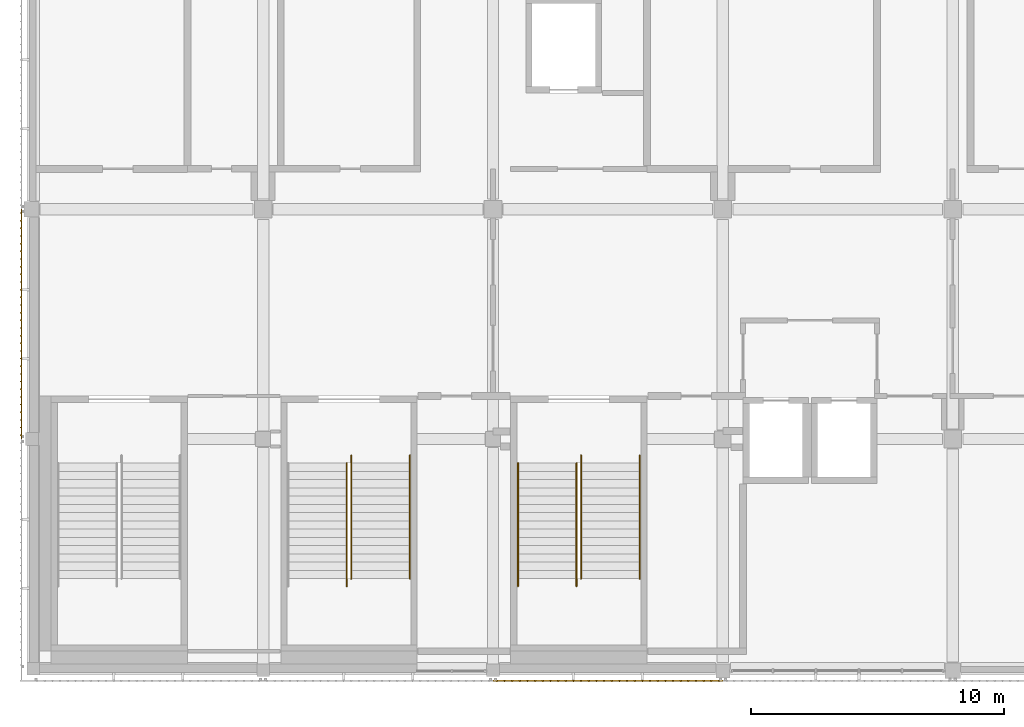
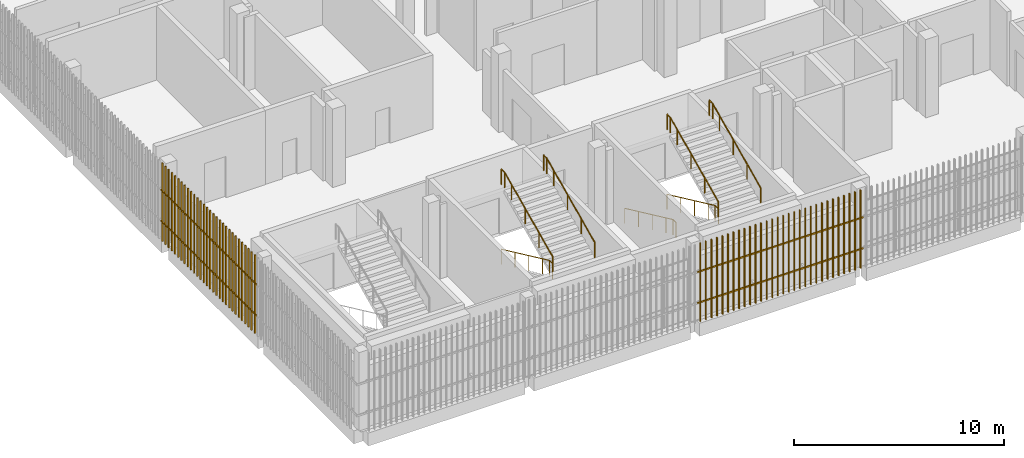
# One storey, part 114 of 139: 7 railings, 2 shading devices.
"""IFC4 building model written with IfcOpenShell, lengths in metres."""

from ifc_helpers import new_model, si_unit, direction, frame, origin, origin_2d, place, context, subcontext, project, spatial, rectangle, circle, extrude, material, type_object, element, save


model = new_model("IFC4")

# Units and contexts
model_context = context("Model", 3, precision=1e-05, world=origin(), true_north=direction((0.0, 1.0)))
body_context = subcontext(model_context, "Body", "Model", "MODEL_VIEW")
ifc_project = project(units=[si_unit("LENGTHUNIT", "METRE"), si_unit("AREAUNIT", "SQUARE_METRE"), si_unit("VOLUMEUNIT", "CUBIC_METRE"), si_unit("PLANEANGLEUNIT", "RADIAN"), si_unit("MASSUNIT", "GRAM", prefix="KILO")], contexts=[model_context])

# Site, building, storey
site_placement = place(None, origin())
site = spatial("IfcSite", under=ifc_project, at=site_placement, CompositionType="ELEMENT")
building_placement = place(site_placement, origin())
building = spatial("IfcBuilding", under=site, at=building_placement, Name="Shirokan Park Arena", CompositionType="ELEMENT")
storey_placement = place(building_placement, frame((0.0, 0.0, 15.469970703125)))
storey = spatial("IfcBuildingStorey", under=building, at=storey_placement, Name="L03", CompositionType="ELEMENT", Elevation=15.469970703125)

# Railings
ifc_material_1 = material(Name="Stainless steel", Category="steel")
railing_type = type_object("IfcRailingType", Name="Stair handrail 900", PredefinedType="HANDRAIL", material=ifc_material_1)
railing_1_placement = place(storey_placement, frame((12.409912109375, 8.14990234375, 0.151611328125)))
element("IfcRailing", 1, at=railing_1_placement, inside=storey, type_object=railing_type, Name="Handrail Exit Stair 1.B L03 to L04", PredefinedType="HANDRAIL", context=body_context, shape_type="SweptSolid", body=[
    extrude(circle(Radius=0.02392578125, at=origin_2d()), frame((0.0, 0.0, 0.8759765625), z_axis=(0.0, -0.906999720516, 0.421131222998), x_axis=(1.0, 0.0, 0.0)), (0.0, 0.0, 1.0), 1.440673828125),
    extrude(circle(Radius=0.02392578125, at=origin_2d()), frame((0.0, -1.306640625, 1.482421875), z_axis=(0.0, -0.907029769225, 0.421066500378), x_axis=(1.0, 0.0, 0.0)), (0.0, 0.0, 1.0), 1.44091796875),
    extrude(circle(Radius=0.02392578125, at=origin_2d()), frame((0.0, -2.613525390625, 2.08935546875), z_axis=(0.0, -0.907029769225, 0.421066500378), x_axis=(1.0, 0.0, 0.0)), (0.0, 0.0, 1.0), 1.44091796875),
    extrude(circle(Radius=0.02392578125, at=origin_2d()), frame((0.0, -3.92041015625, 2.69580078125), z_axis=(0.0, -0.906934982928, 0.421270621741), x_axis=(1.0, 0.0, 0.0)), (0.0, 0.0, 1.0), 0.720458984375),
    extrude(circle(Radius=0.02392578125, at=origin_2d()), frame((0.0, -4.57373046875, 2.99951171875), z_axis=(0.0, -1.0, 0.0), x_axis=(1.0, 0.0, 0.0)), (0.0, 0.0, 1.0), 0.300048828125),
    extrude(circle(Radius=0.02099609375, at=origin_2d()), origin(), (0.0, 0.0, 1.0), 0.851806640625),
    extrude(circle(Radius=0.02099609375, at=origin_2d()), frame((0.0, -1.306640625, 0.606689453125)), (0.0, 0.0, 1.0), 0.851806640625),
    extrude(circle(Radius=0.02099609375, at=origin_2d()), frame((0.0, -2.613525390625, 1.21337890625)), (0.0, 0.0, 1.0), 0.851806640625),
    extrude(circle(Radius=0.02099609375, at=origin_2d()), frame((0.0, -3.92041015625, 1.820068359375)), (0.0, 0.0, 1.0), 0.851806640625),
    extrude(circle(Radius=0.02099609375, at=origin_2d()), frame((0.0, -4.57373046875, 2.12353515625)), (0.0, 0.0, 1.0), 0.851806640625),
    extrude(circle(Radius=0.02099609375, at=origin_2d()), frame((0.0, -4.873779296875, 2.12353515625)), (0.0, 0.0, 1.0), 0.851806640625),
])
railing_2_placement = place(storey_placement, frame((12.590087890625, 3.576171875, 2.4267578125)))
element("IfcRailing", 2, at=railing_2_placement, inside=storey, type_object=railing_type, Name="Handrail Exit Stair 1.B L03 to L04", PredefinedType="HANDRAIL", context=body_context, shape_type="SweptSolid", body=[
    extrude(circle(Radius=0.02392578125, at=origin_2d()), frame((0.0, 0.0, 0.8759765625), z_axis=(0.0, 0.907029769225, 0.421066500378), x_axis=(-1.0, 0.0, 0.0)), (0.0, 0.0, 1.0), 1.44091796875),
    extrude(circle(Radius=0.02392578125, at=origin_2d()), frame((0.0, 1.306884765625, 1.482421875), z_axis=(0.0, 0.906999720516, 0.421131222998), x_axis=(-1.0, 0.0, 0.0)), (0.0, 0.0, 1.0), 1.440673828125),
    extrude(circle(Radius=0.02392578125, at=origin_2d()), frame((0.0, 2.613525390625, 2.08935546875), z_axis=(0.0, 0.907094476872, 0.420927083981), x_axis=(-1.0, 0.0, 0.0)), (0.0, 0.0, 1.0), 1.440673828125),
    extrude(circle(Radius=0.02392578125, at=origin_2d()), frame((0.0, 3.92041015625, 2.69580078125), z_axis=(0.0, 0.906934982928, 0.421270621741), x_axis=(-1.0, 0.0, 0.0)), (0.0, 0.0, 1.0), 0.720458984375),
    extrude(circle(Radius=0.02392578125, at=origin_2d()), frame((0.0, 4.57373046875, 2.9990234375), z_axis=(0.0, 1.0, 0.0), x_axis=(-1.0, 0.0, 0.0)), (0.0, 0.0, 1.0), 0.300048828125),
    extrude(circle(Radius=0.02099609375, at=origin_2d()), origin(), (0.0, 0.0, 1.0), 0.851806640625),
    extrude(circle(Radius=0.02099609375, at=origin_2d()), frame((0.0, 1.306884765625, 0.606689453125)), (0.0, 0.0, 1.0), 0.851806640625),
    extrude(circle(Radius=0.02099609375, at=origin_2d()), frame((0.0, 2.613525390625, 1.21337890625)), (0.0, 0.0, 1.0), 0.851806640625),
    extrude(circle(Radius=0.02099609375, at=origin_2d()), frame((0.0, 3.92041015625, 1.81982421875)), (0.0, 0.0, 1.0), 0.851806640625),
    extrude(circle(Radius=0.02099609375, at=origin_2d()), frame((0.0, 4.57373046875, 2.123291015625)), (0.0, 0.0, 1.0), 0.851806640625),
    extrude(circle(Radius=0.02099609375, at=origin_2d()), frame((0.0, 4.873779296875, 2.123291015625)), (0.0, 0.0, 1.0), 0.851806640625),
])
railing_3_placement = place(storey_placement, frame((14.909912109375, 3.576171875, 2.4267578125)))
element("IfcRailing", 3, at=railing_3_placement, inside=storey, type_object=railing_type, Name="Handrail Exit Stair 1.B L03 to L04", PredefinedType="HANDRAIL", context=body_context, shape_type="SweptSolid", body=[
    extrude(circle(Radius=0.02392578125, at=origin_2d()), frame((0.0, 0.0, 0.8759765625), z_axis=(0.0, 0.907029769225, 0.421066500378), x_axis=(-1.0, 0.0, 0.0)), (0.0, 0.0, 1.0), 1.44091796875),
    extrude(circle(Radius=0.02392578125, at=origin_2d()), frame((0.0, 1.306884765625, 1.482421875), z_axis=(0.0, 0.906999720516, 0.421131222998), x_axis=(-1.0, 0.0, 0.0)), (0.0, 0.0, 1.0), 1.440673828125),
    extrude(circle(Radius=0.02392578125, at=origin_2d()), frame((0.0, 2.613525390625, 2.08935546875), z_axis=(0.0, 0.907094476872, 0.420927083981), x_axis=(-1.0, 0.0, 0.0)), (0.0, 0.0, 1.0), 1.440673828125),
    extrude(circle(Radius=0.02392578125, at=origin_2d()), frame((0.0, 3.92041015625, 2.69580078125), z_axis=(0.0, 0.906934982928, 0.421270621741), x_axis=(-1.0, 0.0, 0.0)), (0.0, 0.0, 1.0), 0.720458984375),
    extrude(circle(Radius=0.02392578125, at=origin_2d()), frame((0.0, 4.57373046875, 2.9990234375), z_axis=(0.0, 1.0, 0.0), x_axis=(-1.0, 0.0, 0.0)), (0.0, 0.0, 1.0), 0.300048828125),
    extrude(circle(Radius=0.02099609375, at=origin_2d()), origin(), (0.0, 0.0, 1.0), 0.851806640625),
    extrude(circle(Radius=0.02099609375, at=origin_2d()), frame((0.0, 1.306884765625, 0.606689453125)), (0.0, 0.0, 1.0), 0.851806640625),
    extrude(circle(Radius=0.02099609375, at=origin_2d()), frame((0.0, 2.613525390625, 1.21337890625)), (0.0, 0.0, 1.0), 0.851806640625),
    extrude(circle(Radius=0.02099609375, at=origin_2d()), frame((0.0, 3.92041015625, 1.81982421875)), (0.0, 0.0, 1.0), 0.851806640625),
    extrude(circle(Radius=0.02099609375, at=origin_2d()), frame((0.0, 4.57373046875, 2.123291015625)), (0.0, 0.0, 1.0), 0.851806640625),
    extrude(circle(Radius=0.02099609375, at=origin_2d()), frame((0.0, 4.873779296875, 2.123291015625)), (0.0, 0.0, 1.0), 0.851806640625),
])
railing_4_placement = place(storey_placement, frame((19.18994140625, 8.14990234375, 0.151611328125)))
element("IfcRailing", 4, at=railing_4_placement, inside=storey, type_object=railing_type, Name="Handrail Exit Stair 1.C L03 to L04", PredefinedType="HANDRAIL", context=body_context, shape_type="SweptSolid", body=[
    extrude(circle(Radius=0.02392578125, at=origin_2d()), frame((0.0, 0.0, 0.8759765625), z_axis=(0.0, -0.906999720516, 0.421131222998), x_axis=(1.0, 0.0, 0.0)), (0.0, 0.0, 1.0), 1.440673828125),
    extrude(circle(Radius=0.02392578125, at=origin_2d()), frame((0.0, -1.306640625, 1.482421875), z_axis=(0.0, -0.907029769225, 0.421066500378), x_axis=(1.0, 0.0, 0.0)), (0.0, 0.0, 1.0), 1.44091796875),
    extrude(circle(Radius=0.02392578125, at=origin_2d()), frame((0.0, -2.613525390625, 2.08935546875), z_axis=(0.0, -0.907029769225, 0.421066500378), x_axis=(1.0, 0.0, 0.0)), (0.0, 0.0, 1.0), 1.44091796875),
    extrude(circle(Radius=0.02392578125, at=origin_2d()), frame((0.0, -3.92041015625, 2.69580078125), z_axis=(0.0, -0.906934982928, 0.421270621741), x_axis=(1.0, 0.0, 0.0)), (0.0, 0.0, 1.0), 0.720458984375),
    extrude(circle(Radius=0.02392578125, at=origin_2d()), frame((0.0, -4.57373046875, 2.99951171875), z_axis=(0.0, -1.0, 0.0), x_axis=(1.0, 0.0, 0.0)), (0.0, 0.0, 1.0), 0.300048828125),
    extrude(circle(Radius=0.02099609375, at=origin_2d()), origin(), (0.0, 0.0, 1.0), 0.851806640625),
    extrude(circle(Radius=0.02099609375, at=origin_2d()), frame((0.0, -1.306640625, 0.606689453125)), (0.0, 0.0, 1.0), 0.851806640625),
    extrude(circle(Radius=0.02099609375, at=origin_2d()), frame((0.0, -2.613525390625, 1.21337890625)), (0.0, 0.0, 1.0), 0.851806640625),
    extrude(circle(Radius=0.02099609375, at=origin_2d()), frame((0.0, -3.92041015625, 1.820068359375)), (0.0, 0.0, 1.0), 0.851806640625),
    extrude(circle(Radius=0.02099609375, at=origin_2d()), frame((0.0, -4.57373046875, 2.12353515625)), (0.0, 0.0, 1.0), 0.851806640625),
    extrude(circle(Radius=0.02099609375, at=origin_2d()), frame((0.0, -4.873779296875, 2.12353515625)), (0.0, 0.0, 1.0), 0.851806640625),
])
railing_5_placement = place(storey_placement, frame((21.510009765625, 8.14990234375, 0.151611328125)))
element("IfcRailing", 5, at=railing_5_placement, inside=storey, type_object=railing_type, Name="Handrail Exit Stair 1.C L03 to L04", PredefinedType="HANDRAIL", context=body_context, shape_type="SweptSolid", body=[
    extrude(circle(Radius=0.02392578125, at=origin_2d()), frame((0.0, 0.0, 0.8759765625), z_axis=(0.0, -0.906999720516, 0.421131222998), x_axis=(1.0, 0.0, 0.0)), (0.0, 0.0, 1.0), 1.440673828125),
    extrude(circle(Radius=0.02392578125, at=origin_2d()), frame((0.0, -1.306640625, 1.482421875), z_axis=(0.0, -0.907029769225, 0.421066500378), x_axis=(1.0, 0.0, 0.0)), (0.0, 0.0, 1.0), 1.44091796875),
    extrude(circle(Radius=0.02392578125, at=origin_2d()), frame((0.0, -2.613525390625, 2.08935546875), z_axis=(0.0, -0.907029769225, 0.421066500378), x_axis=(1.0, 0.0, 0.0)), (0.0, 0.0, 1.0), 1.44091796875),
    extrude(circle(Radius=0.02392578125, at=origin_2d()), frame((0.0, -3.92041015625, 2.69580078125), z_axis=(0.0, -0.906934982928, 0.421270621741), x_axis=(1.0, 0.0, 0.0)), (0.0, 0.0, 1.0), 0.720458984375),
    extrude(circle(Radius=0.02392578125, at=origin_2d()), frame((0.0, -4.57373046875, 2.99951171875), z_axis=(0.0, -1.0, 0.0), x_axis=(1.0, 0.0, 0.0)), (0.0, 0.0, 1.0), 0.300048828125),
    extrude(circle(Radius=0.02099609375, at=origin_2d()), origin(), (0.0, 0.0, 1.0), 0.851806640625),
    extrude(circle(Radius=0.02099609375, at=origin_2d()), frame((0.0, -1.306640625, 0.606689453125)), (0.0, 0.0, 1.0), 0.851806640625),
    extrude(circle(Radius=0.02099609375, at=origin_2d()), frame((0.0, -2.613525390625, 1.21337890625)), (0.0, 0.0, 1.0), 0.851806640625),
    extrude(circle(Radius=0.02099609375, at=origin_2d()), frame((0.0, -3.92041015625, 1.820068359375)), (0.0, 0.0, 1.0), 0.851806640625),
    extrude(circle(Radius=0.02099609375, at=origin_2d()), frame((0.0, -4.57373046875, 2.12353515625)), (0.0, 0.0, 1.0), 0.851806640625),
    extrude(circle(Radius=0.02099609375, at=origin_2d()), frame((0.0, -4.873779296875, 2.12353515625)), (0.0, 0.0, 1.0), 0.851806640625),
])
railing_6_placement = place(storey_placement, frame((21.68994140625, 3.576171875, 2.4267578125)))
element("IfcRailing", 6, at=railing_6_placement, inside=storey, type_object=railing_type, Name="Handrail Exit Stair 1.C L03 to L04", PredefinedType="HANDRAIL", context=body_context, shape_type="SweptSolid", body=[
    extrude(circle(Radius=0.02392578125, at=origin_2d()), frame((0.0, 0.0, 0.8759765625), z_axis=(0.0, 0.907029769225, 0.421066500378), x_axis=(-1.0, 0.0, 0.0)), (0.0, 0.0, 1.0), 1.44091796875),
    extrude(circle(Radius=0.02392578125, at=origin_2d()), frame((0.0, 1.306884765625, 1.482421875), z_axis=(0.0, 0.906999720516, 0.421131222998), x_axis=(-1.0, 0.0, 0.0)), (0.0, 0.0, 1.0), 1.440673828125),
    extrude(circle(Radius=0.02392578125, at=origin_2d()), frame((0.0, 2.613525390625, 2.08935546875), z_axis=(0.0, 0.907094476872, 0.420927083981), x_axis=(-1.0, 0.0, 0.0)), (0.0, 0.0, 1.0), 1.440673828125),
    extrude(circle(Radius=0.02392578125, at=origin_2d()), frame((0.0, 3.92041015625, 2.69580078125), z_axis=(0.0, 0.906934982928, 0.421270621741), x_axis=(-1.0, 0.0, 0.0)), (0.0, 0.0, 1.0), 0.720458984375),
    extrude(circle(Radius=0.02392578125, at=origin_2d()), frame((0.0, 4.57373046875, 2.9990234375), z_axis=(0.0, 1.0, 0.0), x_axis=(-1.0, 0.0, 0.0)), (0.0, 0.0, 1.0), 0.300048828125),
    extrude(circle(Radius=0.02099609375, at=origin_2d()), origin(), (0.0, 0.0, 1.0), 0.851806640625),
    extrude(circle(Radius=0.02099609375, at=origin_2d()), frame((0.0, 1.306884765625, 0.606689453125)), (0.0, 0.0, 1.0), 0.851806640625),
    extrude(circle(Radius=0.02099609375, at=origin_2d()), frame((0.0, 2.613525390625, 1.21337890625)), (0.0, 0.0, 1.0), 0.851806640625),
    extrude(circle(Radius=0.02099609375, at=origin_2d()), frame((0.0, 3.92041015625, 1.81982421875)), (0.0, 0.0, 1.0), 0.851806640625),
    extrude(circle(Radius=0.02099609375, at=origin_2d()), frame((0.0, 4.57373046875, 2.123291015625)), (0.0, 0.0, 1.0), 0.851806640625),
    extrude(circle(Radius=0.02099609375, at=origin_2d()), frame((0.0, 4.873779296875, 2.123291015625)), (0.0, 0.0, 1.0), 0.851806640625),
])
railing_7_placement = place(storey_placement, frame((24.010009765625, 3.576171875, 2.4267578125)))
element("IfcRailing", 7, at=railing_7_placement, inside=storey, type_object=railing_type, Name="Handrail Exit Stair 1.C L03 to L04", PredefinedType="HANDRAIL", context=body_context, shape_type="SweptSolid", body=[
    extrude(circle(Radius=0.02392578125, at=origin_2d()), frame((0.0, 0.0, 0.8759765625), z_axis=(0.0, 0.907029769225, 0.421066500378), x_axis=(-1.0, 0.0, 0.0)), (0.0, 0.0, 1.0), 1.44091796875),
    extrude(circle(Radius=0.02392578125, at=origin_2d()), frame((0.0, 1.306884765625, 1.482421875), z_axis=(0.0, 0.906999720516, 0.421131222998), x_axis=(-1.0, 0.0, 0.0)), (0.0, 0.0, 1.0), 1.440673828125),
    extrude(circle(Radius=0.02392578125, at=origin_2d()), frame((0.0, 2.613525390625, 2.08935546875), z_axis=(0.0, 0.907094476872, 0.420927083981), x_axis=(-1.0, 0.0, 0.0)), (0.0, 0.0, 1.0), 1.440673828125),
    extrude(circle(Radius=0.02392578125, at=origin_2d()), frame((0.0, 3.92041015625, 2.69580078125), z_axis=(0.0, 0.906934982928, 0.421270621741), x_axis=(-1.0, 0.0, 0.0)), (0.0, 0.0, 1.0), 0.720458984375),
    extrude(circle(Radius=0.02392578125, at=origin_2d()), frame((0.0, 4.57373046875, 2.9990234375), z_axis=(0.0, 1.0, 0.0), x_axis=(-1.0, 0.0, 0.0)), (0.0, 0.0, 1.0), 0.300048828125),
    extrude(circle(Radius=0.02099609375, at=origin_2d()), origin(), (0.0, 0.0, 1.0), 0.851806640625),
    extrude(circle(Radius=0.02099609375, at=origin_2d()), frame((0.0, 1.306884765625, 0.606689453125)), (0.0, 0.0, 1.0), 0.851806640625),
    extrude(circle(Radius=0.02099609375, at=origin_2d()), frame((0.0, 2.613525390625, 1.21337890625)), (0.0, 0.0, 1.0), 0.851806640625),
    extrude(circle(Radius=0.02099609375, at=origin_2d()), frame((0.0, 3.92041015625, 1.81982421875)), (0.0, 0.0, 1.0), 0.851806640625),
    extrude(circle(Radius=0.02099609375, at=origin_2d()), frame((0.0, 4.57373046875, 2.123291015625)), (0.0, 0.0, 1.0), 0.851806640625),
    extrude(circle(Radius=0.02099609375, at=origin_2d()), frame((0.0, 4.873779296875, 2.123291015625)), (0.0, 0.0, 1.0), 0.851806640625),
])

# Shading devices
ifc_material_2 = material(Name="Timber louvre veil (cedar)", Category="wood")
shading_device_type = type_object("IfcShadingDeviceType", Name="Timber louvre veil panel", PredefinedType="JALOUSIE", material=ifc_material_2)
shading_device_1_placement = place(storey_placement, origin())
element("IfcShadingDevice", 8, at=shading_device_1_placement, inside=storey, type_object=shading_device_type, Name="Timber louvre veil south bay 3 L03", PredefinedType="JALOUSIE", context=body_context, shape_type="SweptSolid", body=[
    extrude(rectangle(XDim=0.050048828125, YDim=0.080078125, at=origin_2d()), frame((18.3515625, -0.485107421875, 0.0), z_axis=(0.0, 0.0, 1.0), x_axis=(1.0, 0.0, 0.0)), (0.0, 0.0, 1.0), 4.550048828125),
    extrude(rectangle(XDim=0.050048828125, YDim=0.080078125, at=origin_2d()), frame((18.655029296875, -0.485107421875, 0.0), z_axis=(0.0, 0.0, 1.0), x_axis=(1.0, 0.0, 0.0)), (0.0, 0.0, 1.0), 4.550048828125),
    extrude(rectangle(XDim=0.050048828125, YDim=0.080078125, at=origin_2d()), frame((18.958251953125, -0.485107421875, 0.0), z_axis=(0.0, 0.0, 1.0), x_axis=(1.0, 0.0, 0.0)), (0.0, 0.0, 1.0), 4.550048828125),
    extrude(rectangle(XDim=0.050048828125, YDim=0.080078125, at=origin_2d()), frame((19.26171875, -0.485107421875, 0.0), z_axis=(0.0, 0.0, 1.0), x_axis=(1.0, 0.0, 0.0)), (0.0, 0.0, 1.0), 4.550048828125),
    extrude(rectangle(XDim=0.050048828125, YDim=0.080078125, at=origin_2d()), frame((19.56494140625, -0.485107421875, 0.0), z_axis=(0.0, 0.0, 1.0), x_axis=(1.0, 0.0, 0.0)), (0.0, 0.0, 1.0), 4.550048828125),
    extrude(rectangle(XDim=0.050048828125, YDim=0.080078125, at=origin_2d()), frame((19.868408203125, -0.485107421875, 0.0), z_axis=(0.0, 0.0, 1.0), x_axis=(1.0, 0.0, 0.0)), (0.0, 0.0, 1.0), 4.550048828125),
    extrude(rectangle(XDim=0.050048828125, YDim=0.080078125, at=origin_2d()), frame((20.171630859375, -0.485107421875, 0.0), z_axis=(0.0, 0.0, 1.0), x_axis=(1.0, 0.0, 0.0)), (0.0, 0.0, 1.0), 4.550048828125),
    extrude(rectangle(XDim=0.050048828125, YDim=0.080078125, at=origin_2d()), frame((20.47509765625, -0.485107421875, 0.0), z_axis=(0.0, 0.0, 1.0), x_axis=(1.0, 0.0, 0.0)), (0.0, 0.0, 1.0), 4.550048828125),
    extrude(rectangle(XDim=0.050048828125, YDim=0.080078125, at=origin_2d()), frame((20.7783203125, -0.485107421875, 0.0), z_axis=(0.0, 0.0, 1.0), x_axis=(1.0, 0.0, 0.0)), (0.0, 0.0, 1.0), 4.550048828125),
    extrude(rectangle(XDim=0.050048828125, YDim=0.080078125, at=origin_2d()), frame((21.081787109375, -0.485107421875, 0.0), z_axis=(0.0, 0.0, 1.0), x_axis=(1.0, 0.0, 0.0)), (0.0, 0.0, 1.0), 4.550048828125),
    extrude(rectangle(XDim=0.050048828125, YDim=0.080078125, at=origin_2d()), frame((21.385009765625, -0.485107421875, 0.0), z_axis=(0.0, 0.0, 1.0), x_axis=(1.0, 0.0, 0.0)), (0.0, 0.0, 1.0), 4.550048828125),
    extrude(rectangle(XDim=0.050048828125, YDim=0.080078125, at=origin_2d()), frame((21.688232421875, -0.485107421875, 0.0), z_axis=(0.0, 0.0, 1.0), x_axis=(1.0, 0.0, 0.0)), (0.0, 0.0, 1.0), 4.550048828125),
    extrude(rectangle(XDim=0.050048828125, YDim=0.080078125, at=origin_2d()), frame((21.99169921875, -0.485107421875, 0.0), z_axis=(0.0, 0.0, 1.0), x_axis=(1.0, 0.0, 0.0)), (0.0, 0.0, 1.0), 4.550048828125),
    extrude(rectangle(XDim=0.050048828125, YDim=0.080078125, at=origin_2d()), frame((22.294921875, -0.485107421875, 0.0), z_axis=(0.0, 0.0, 1.0), x_axis=(1.0, 0.0, 0.0)), (0.0, 0.0, 1.0), 4.550048828125),
    extrude(rectangle(XDim=0.050048828125, YDim=0.080078125, at=origin_2d()), frame((22.598388671875, -0.485107421875, 0.0), z_axis=(0.0, 0.0, 1.0), x_axis=(1.0, 0.0, 0.0)), (0.0, 0.0, 1.0), 4.550048828125),
    extrude(rectangle(XDim=0.050048828125, YDim=0.080078125, at=origin_2d()), frame((22.901611328125, -0.485107421875, 0.0), z_axis=(0.0, 0.0, 1.0), x_axis=(1.0, 0.0, 0.0)), (0.0, 0.0, 1.0), 4.550048828125),
    extrude(rectangle(XDim=0.050048828125, YDim=0.080078125, at=origin_2d()), frame((23.205078125, -0.485107421875, 0.0), z_axis=(0.0, 0.0, 1.0), x_axis=(1.0, 0.0, 0.0)), (0.0, 0.0, 1.0), 4.550048828125),
    extrude(rectangle(XDim=0.050048828125, YDim=0.080078125, at=origin_2d()), frame((23.50830078125, -0.485107421875, 0.0), z_axis=(0.0, 0.0, 1.0), x_axis=(1.0, 0.0, 0.0)), (0.0, 0.0, 1.0), 4.550048828125),
    extrude(rectangle(XDim=0.050048828125, YDim=0.080078125, at=origin_2d()), frame((23.811767578125, -0.485107421875, 0.0), z_axis=(0.0, 0.0, 1.0), x_axis=(1.0, 0.0, 0.0)), (0.0, 0.0, 1.0), 4.550048828125),
    extrude(rectangle(XDim=0.050048828125, YDim=0.080078125, at=origin_2d()), frame((24.114990234375, -0.485107421875, 0.0), z_axis=(0.0, 0.0, 1.0), x_axis=(1.0, 0.0, 0.0)), (0.0, 0.0, 1.0), 4.550048828125),
    extrude(rectangle(XDim=0.050048828125, YDim=0.080078125, at=origin_2d()), frame((24.418212890625, -0.485107421875, 0.0), z_axis=(0.0, 0.0, 1.0), x_axis=(1.0, 0.0, 0.0)), (0.0, 0.0, 1.0), 4.550048828125),
    extrude(rectangle(XDim=0.050048828125, YDim=0.080078125, at=origin_2d()), frame((24.7216796875, -0.485107421875, 0.0), z_axis=(0.0, 0.0, 1.0), x_axis=(1.0, 0.0, 0.0)), (0.0, 0.0, 1.0), 4.550048828125),
    extrude(rectangle(XDim=0.050048828125, YDim=0.080078125, at=origin_2d()), frame((25.02490234375, -0.485107421875, 0.0), z_axis=(0.0, 0.0, 1.0), x_axis=(1.0, 0.0, 0.0)), (0.0, 0.0, 1.0), 4.550048828125),
    extrude(rectangle(XDim=0.050048828125, YDim=0.080078125, at=origin_2d()), frame((25.328369140625, -0.485107421875, 0.0), z_axis=(0.0, 0.0, 1.0), x_axis=(1.0, 0.0, 0.0)), (0.0, 0.0, 1.0), 4.550048828125),
    extrude(rectangle(XDim=0.050048828125, YDim=0.080078125, at=origin_2d()), frame((25.631591796875, -0.485107421875, 0.0), z_axis=(0.0, 0.0, 1.0), x_axis=(1.0, 0.0, 0.0)), (0.0, 0.0, 1.0), 4.550048828125),
    extrude(rectangle(XDim=0.050048828125, YDim=0.080078125, at=origin_2d()), frame((25.93505859375, -0.485107421875, 0.0), z_axis=(0.0, 0.0, 1.0), x_axis=(1.0, 0.0, 0.0)), (0.0, 0.0, 1.0), 4.550048828125),
    extrude(rectangle(XDim=0.050048828125, YDim=0.080078125, at=origin_2d()), frame((26.23828125, -0.485107421875, 0.0), z_axis=(0.0, 0.0, 1.0), x_axis=(1.0, 0.0, 0.0)), (0.0, 0.0, 1.0), 4.550048828125),
    extrude(rectangle(XDim=0.050048828125, YDim=0.080078125, at=origin_2d()), frame((26.541748046875, -0.485107421875, 0.0), z_axis=(0.0, 0.0, 1.0), x_axis=(1.0, 0.0, 0.0)), (0.0, 0.0, 1.0), 4.550048828125),
    extrude(rectangle(XDim=0.050048828125, YDim=0.080078125, at=origin_2d()), frame((26.844970703125, -0.485107421875, 0.0), z_axis=(0.0, 0.0, 1.0), x_axis=(1.0, 0.0, 0.0)), (0.0, 0.0, 1.0), 4.550048828125),
    extrude(rectangle(XDim=0.050048828125, YDim=0.080078125, at=origin_2d()), frame((27.1484375, -0.485107421875, 0.0), z_axis=(0.0, 0.0, 1.0), x_axis=(1.0, 0.0, 0.0)), (0.0, 0.0, 1.0), 4.550048828125),
    extrude(rectangle(XDim=9.10009765625, YDim=0.050048828125, at=origin_2d()), frame((22.75, -0.469970703125, 1.06005859375), z_axis=(0.0, 0.0, 1.0), x_axis=(1.0, 0.0, 0.0)), (0.0, 0.0, 1.0), 0.080078125),
    extrude(rectangle(XDim=9.10009765625, YDim=0.050048828125, at=origin_2d()), frame((22.75, -0.469970703125, 2.860107421875), z_axis=(0.0, 0.0, 1.0), x_axis=(1.0, 0.0, 0.0)), (0.0, 0.0, 1.0), 0.080078125),
])
shading_device_2_placement = place(storey_placement, origin())
element("IfcShadingDevice", 9, at=shading_device_2_placement, inside=storey, type_object=shading_device_type, Name="Timber louvre veil west bay 11 L03", PredefinedType="JALOUSIE", context=body_context, shape_type="SweptSolid", body=[
    extrude(rectangle(XDim=0.050048828125, YDim=0.080078125, at=origin_2d()), frame((-0.485107421875, 18.04833984375, 0.0), z_axis=(0.0, 0.0, 1.0), x_axis=(0.0, -1.0, 0.0)), (0.0, 0.0, 1.0), 4.550048828125),
    extrude(rectangle(XDim=0.050048828125, YDim=0.080078125, at=origin_2d()), frame((-0.485107421875, 17.7451171875, 0.0), z_axis=(0.0, 0.0, 1.0), x_axis=(0.0, -1.0, 0.0)), (0.0, 0.0, 1.0), 4.550048828125),
    extrude(rectangle(XDim=0.050048828125, YDim=0.080078125, at=origin_2d()), frame((-0.485107421875, 17.441650390625, 0.0), z_axis=(0.0, 0.0, 1.0), x_axis=(0.0, -1.0, 0.0)), (0.0, 0.0, 1.0), 4.550048828125),
    extrude(rectangle(XDim=0.050048828125, YDim=0.080078125, at=origin_2d()), frame((-0.485107421875, 17.138427734375, 0.0), z_axis=(0.0, 0.0, 1.0), x_axis=(0.0, -1.0, 0.0)), (0.0, 0.0, 1.0), 4.550048828125),
    extrude(rectangle(XDim=0.050048828125, YDim=0.080078125, at=origin_2d()), frame((-0.485107421875, 16.8349609375, 0.0), z_axis=(0.0, 0.0, 1.0), x_axis=(0.0, -1.0, 0.0)), (0.0, 0.0, 1.0), 4.550048828125),
    extrude(rectangle(XDim=0.050048828125, YDim=0.080078125, at=origin_2d()), frame((-0.485107421875, 16.53173828125, 0.0), z_axis=(0.0, 0.0, 1.0), x_axis=(0.0, -1.0, 0.0)), (0.0, 0.0, 1.0), 4.550048828125),
    extrude(rectangle(XDim=0.050048828125, YDim=0.080078125, at=origin_2d()), frame((-0.485107421875, 16.228271484375, 0.0), z_axis=(0.0, 0.0, 1.0), x_axis=(0.0, -1.0, 0.0)), (0.0, 0.0, 1.0), 4.550048828125),
    extrude(rectangle(XDim=0.050048828125, YDim=0.080078125, at=origin_2d()), frame((-0.485107421875, 15.925048828125, 0.0), z_axis=(0.0, 0.0, 1.0), x_axis=(0.0, -1.0, 0.0)), (0.0, 0.0, 1.0), 4.550048828125),
    extrude(rectangle(XDim=0.050048828125, YDim=0.080078125, at=origin_2d()), frame((-0.485107421875, 15.62158203125, 0.0), z_axis=(0.0, 0.0, 1.0), x_axis=(0.0, -1.0, 0.0)), (0.0, 0.0, 1.0), 4.550048828125),
    extrude(rectangle(XDim=0.050048828125, YDim=0.080078125, at=origin_2d()), frame((-0.485107421875, 15.318359375, 0.0), z_axis=(0.0, 0.0, 1.0), x_axis=(0.0, -1.0, 0.0)), (0.0, 0.0, 1.0), 4.550048828125),
    extrude(rectangle(XDim=0.050048828125, YDim=0.080078125, at=origin_2d()), frame((-0.485107421875, 15.014892578125, 0.0), z_axis=(0.0, 0.0, 1.0), x_axis=(0.0, -1.0, 0.0)), (0.0, 0.0, 1.0), 4.550048828125),
    extrude(rectangle(XDim=0.050048828125, YDim=0.080078125, at=origin_2d()), frame((-0.485107421875, 14.711669921875, 0.0), z_axis=(0.0, 0.0, 1.0), x_axis=(0.0, -1.0, 0.0)), (0.0, 0.0, 1.0), 4.550048828125),
    extrude(rectangle(XDim=0.050048828125, YDim=0.080078125, at=origin_2d()), frame((-0.485107421875, 14.408447265625, 0.0), z_axis=(0.0, 0.0, 1.0), x_axis=(0.0, -1.0, 0.0)), (0.0, 0.0, 1.0), 4.550048828125),
    extrude(rectangle(XDim=0.050048828125, YDim=0.080078125, at=origin_2d()), frame((-0.485107421875, 14.10498046875, 0.0), z_axis=(0.0, 0.0, 1.0), x_axis=(0.0, -1.0, 0.0)), (0.0, 0.0, 1.0), 4.550048828125),
    extrude(rectangle(XDim=0.050048828125, YDim=0.080078125, at=origin_2d()), frame((-0.485107421875, 13.8017578125, 0.0), z_axis=(0.0, 0.0, 1.0), x_axis=(0.0, -1.0, 0.0)), (0.0, 0.0, 1.0), 4.550048828125),
    extrude(rectangle(XDim=0.050048828125, YDim=0.080078125, at=origin_2d()), frame((-0.485107421875, 13.498291015625, 0.0), z_axis=(0.0, 0.0, 1.0), x_axis=(0.0, -1.0, 0.0)), (0.0, 0.0, 1.0), 4.550048828125),
    extrude(rectangle(XDim=0.050048828125, YDim=0.080078125, at=origin_2d()), frame((-0.485107421875, 13.195068359375, 0.0), z_axis=(0.0, 0.0, 1.0), x_axis=(0.0, -1.0, 0.0)), (0.0, 0.0, 1.0), 4.550048828125),
    extrude(rectangle(XDim=0.050048828125, YDim=0.080078125, at=origin_2d()), frame((-0.485107421875, 12.8916015625, 0.0), z_axis=(0.0, 0.0, 1.0), x_axis=(0.0, -1.0, 0.0)), (0.0, 0.0, 1.0), 4.550048828125),
    extrude(rectangle(XDim=0.050048828125, YDim=0.080078125, at=origin_2d()), frame((-0.485107421875, 12.58837890625, 0.0), z_axis=(0.0, 0.0, 1.0), x_axis=(0.0, -1.0, 0.0)), (0.0, 0.0, 1.0), 4.550048828125),
    extrude(rectangle(XDim=0.050048828125, YDim=0.080078125, at=origin_2d()), frame((-0.485107421875, 12.284912109375, 0.0), z_axis=(0.0, 0.0, 1.0), x_axis=(0.0, -1.0, 0.0)), (0.0, 0.0, 1.0), 4.550048828125),
    extrude(rectangle(XDim=0.050048828125, YDim=0.080078125, at=origin_2d()), frame((-0.485107421875, 11.981689453125, 0.0), z_axis=(0.0, 0.0, 1.0), x_axis=(0.0, -1.0, 0.0)), (0.0, 0.0, 1.0), 4.550048828125),
    extrude(rectangle(XDim=0.050048828125, YDim=0.080078125, at=origin_2d()), frame((-0.485107421875, 11.67822265625, 0.0), z_axis=(0.0, 0.0, 1.0), x_axis=(0.0, -1.0, 0.0)), (0.0, 0.0, 1.0), 4.550048828125),
    extrude(rectangle(XDim=0.050048828125, YDim=0.080078125, at=origin_2d()), frame((-0.485107421875, 11.375, 0.0), z_axis=(0.0, 0.0, 1.0), x_axis=(0.0, -1.0, 0.0)), (0.0, 0.0, 1.0), 4.550048828125),
    extrude(rectangle(XDim=0.050048828125, YDim=0.080078125, at=origin_2d()), frame((-0.485107421875, 11.07177734375, 0.0), z_axis=(0.0, 0.0, 1.0), x_axis=(0.0, -1.0, 0.0)), (0.0, 0.0, 1.0), 4.550048828125),
    extrude(rectangle(XDim=0.050048828125, YDim=0.080078125, at=origin_2d()), frame((-0.485107421875, 10.768310546875, 0.0), z_axis=(0.0, 0.0, 1.0), x_axis=(0.0, -1.0, 0.0)), (0.0, 0.0, 1.0), 4.550048828125),
    extrude(rectangle(XDim=0.050048828125, YDim=0.080078125, at=origin_2d()), frame((-0.485107421875, 10.465087890625, 0.0), z_axis=(0.0, 0.0, 1.0), x_axis=(0.0, -1.0, 0.0)), (0.0, 0.0, 1.0), 4.550048828125),
    extrude(rectangle(XDim=0.050048828125, YDim=0.080078125, at=origin_2d()), frame((-0.485107421875, 10.16162109375, 0.0), z_axis=(0.0, 0.0, 1.0), x_axis=(0.0, -1.0, 0.0)), (0.0, 0.0, 1.0), 4.550048828125),
    extrude(rectangle(XDim=0.050048828125, YDim=0.080078125, at=origin_2d()), frame((-0.485107421875, 9.8583984375, 0.0), z_axis=(0.0, 0.0, 1.0), x_axis=(0.0, -1.0, 0.0)), (0.0, 0.0, 1.0), 4.550048828125),
    extrude(rectangle(XDim=0.050048828125, YDim=0.080078125, at=origin_2d()), frame((-0.485107421875, 9.554931640625, 0.0), z_axis=(0.0, 0.0, 1.0), x_axis=(0.0, -1.0, 0.0)), (0.0, 0.0, 1.0), 4.550048828125),
    extrude(rectangle(XDim=0.050048828125, YDim=0.080078125, at=origin_2d()), frame((-0.485107421875, 9.251708984375, 0.0), z_axis=(0.0, 0.0, 1.0), x_axis=(0.0, -1.0, 0.0)), (0.0, 0.0, 1.0), 4.550048828125),
    extrude(rectangle(XDim=9.10009765625, YDim=0.050048828125, at=origin_2d()), frame((-0.469970703125, 13.64990234375, 1.06005859375), z_axis=(0.0, 0.0, 1.0), x_axis=(0.0, -1.0, 0.0)), (0.0, 0.0, 1.0), 0.080078125),
    extrude(rectangle(XDim=9.10009765625, YDim=0.050048828125, at=origin_2d()), frame((-0.469970703125, 13.64990234375, 2.860107421875), z_axis=(0.0, 0.0, 1.0), x_axis=(0.0, -1.0, 0.0)), (0.0, 0.0, 1.0), 0.080078125),
])

save(model, "model.ifc")
